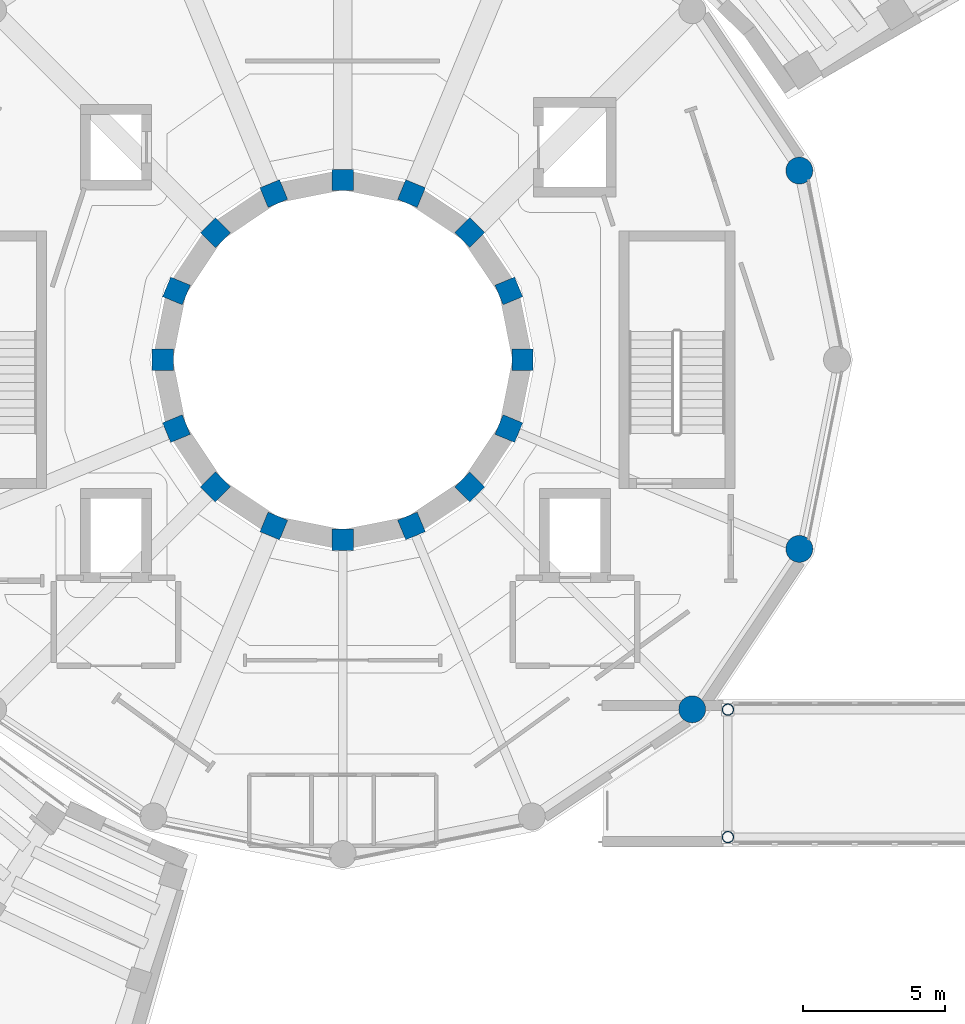
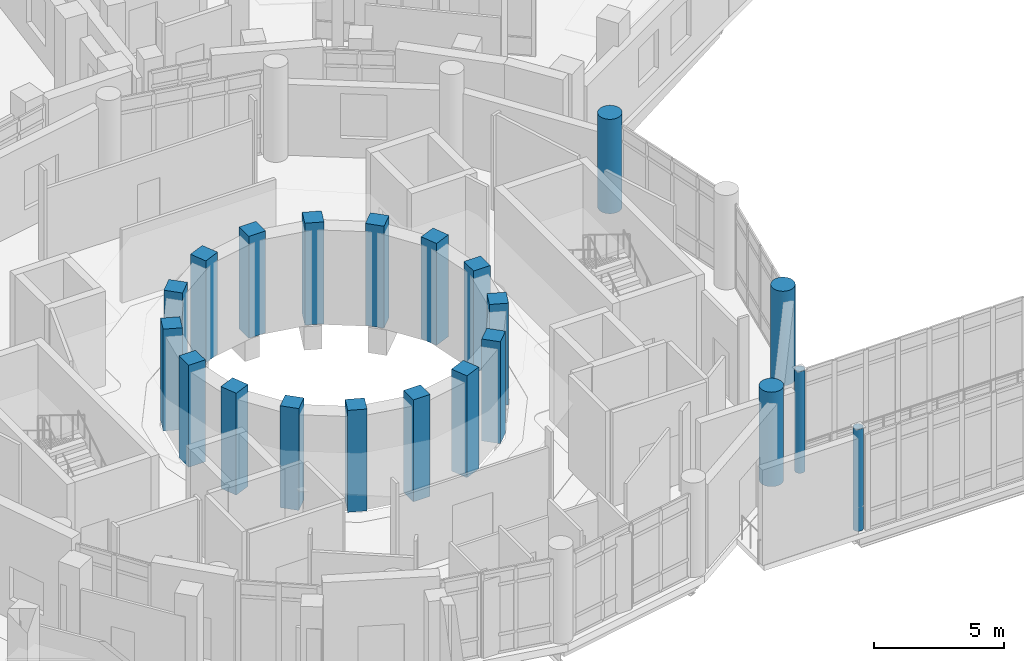
# One storey, part 2 of 89: 21 columns.
"""IFC4 building model written with IfcOpenShell, lengths in metres."""

from ifc_helpers import new_model, si_unit, direction, frame, origin, origin_2d, place, context, subcontext, project, spatial, rectangle, circle, hollow_circle, extrude, material, material_profile, profile_set, type_object, element, save


model = new_model("IFC4")

# Units and contexts
model_context = context("Model", 3, precision=1e-05, world=origin(), true_north=direction((0.0, 1.0)))
body_context = subcontext(model_context, "Body", "Model", "MODEL_VIEW")
ifc_project = project(units=[si_unit("LENGTHUNIT", "METRE"), si_unit("AREAUNIT", "SQUARE_METRE"), si_unit("VOLUMEUNIT", "CUBIC_METRE"), si_unit("PLANEANGLEUNIT", "RADIAN"), si_unit("MASSUNIT", "GRAM", prefix="KILO")], contexts=[model_context])

# Site, building, storey
site_placement = place(None, origin())
site = spatial("IfcSite", under=ifc_project, at=site_placement, CompositionType="ELEMENT")
building_placement = place(site_placement, origin())
building = spatial("IfcBuilding", under=site, at=building_placement, Name="Soyqirgoq Riverine Aquarium", CompositionType="ELEMENT")
storey_placement = place(building_placement, frame((0.0, 0.0, 5.39990234375)))
storey = spatial("IfcBuildingStorey", under=building, at=storey_placement, Name="L02", CompositionType="ELEMENT", Elevation=5.39990234375)

# Columns
ifc_material_1 = material(Name="Concrete C40/50", Category="concrete")
ifc_material_profile_1 = material_profile(ifc_material_1, circle(Radius=0.47509765625, at=origin_2d()), Name="RC-COL D950")
ifc_profile_set_1 = profile_set([ifc_material_profile_1], Name="Concrete C40/50")
column_type_1 = type_object("IfcColumnType", Name="Col_Circ_D950", PredefinedType="COLUMN", material=ifc_profile_set_1)
for number, where, z_axis, x_axis, name in (
    (1, (72.12158203125, 63.677734375, 0.0), (0.0, 0.0, 1.0), (0.923879532511, 0.382683432365, 0.0), "V1 Column V1-CO02 L02"),
    (2, (68.339111328125, 44.660888671875, 0.0), (0.0, 0.0, 1.0), (0.707106781187, -0.707106781187, 0.0), "V1 Column V1-CO15 L02"),
    (3, (72.12158203125, 50.322265625, 0.0), (0.0, 0.0, 1.0), (0.923879532511, -0.382683432365, 0.0), "V1 Column V1-CO16 L02"),
):
    element("IfcColumn", number, at=place(storey_placement, frame(where, z_axis=z_axis, x_axis=x_axis)), inside=storey, type_object=column_type_1, Name=name, PredefinedType="COLUMN", context=body_context, shape_type="SweptSolid", body=[
        extrude(circle(Radius=0.47509765625, at=origin_2d()), origin(), (0.0, 0.0, 1.0), 4.4501953125),
    ])
ifc_material_2 = material(Name="Concrete C40/50", Category="concrete")
ifc_material_profile_2 = material_profile(ifc_material_2, rectangle(XDim=0.75, YDim=0.75, at=origin_2d()), Name="RC 750x750")
ifc_profile_set_2 = profile_set([ifc_material_profile_2], Name="Concrete C40/50")
column_type_2 = type_object("IfcColumnType", Name="Col_RC_750x750", PredefinedType="COLUMN", material=ifc_profile_set_2)
for number, where, z_axis, x_axis, name in (
    (4, (62.35009765625, 57.0, 0.0), (0.0, 0.0, 1.0), (1.0, 0.0, 0.0), "V1 Column V1-CT01 L02"),
    (5, (61.86669921875, 59.429931640625, 0.0), (0.0, 0.0, 1.0), (0.923879532511, 0.382683432365, 0.0), "V1 Column V1-CT02 L02"),
    (6, (60.489990234375, 61.489990234375, 0.0), (0.0, 0.0, 1.0), (0.707106781187, 0.707106781187, 0.0), "V1 Column V1-CT03 L02"),
    (7, (58.429931640625, 62.86669921875, 0.0), (0.0, 0.0, 1.0), (0.382683432365, 0.923879532511, 0.0), "V1 Column V1-CT04 L02"),
    (8, (56.0, 63.35009765625, 0.0), (0.0, 0.0, 1.0), (0.0, 1.0, 0.0), "V1 Column V1-CT05 L02"),
    (9, (53.570068359375, 62.86669921875, 0.0), (0.0, 0.0, 1.0), (-0.382683432365, 0.923879532511, 0.0), "V1 Column V1-CT06 L02"),
    (10, (51.510009765625, 61.489990234375, 0.0), (0.0, 0.0, 1.0), (-0.707106781187, 0.707106781187, 0.0), "V1 Column V1-CT07 L02"),
    (11, (50.13330078125, 59.429931640625, 0.0), (0.0, 0.0, 1.0), (-0.923879532511, 0.382683432365, 0.0), "V1 Column V1-CT08 L02"),
    (12, (49.64990234375, 57.0, 0.0), (0.0, 0.0, 1.0), (-1.0, 0.0, 0.0), "V1 Column V1-CT09 L02"),
    (13, (50.13330078125, 54.570068359375, 0.0), (0.0, 0.0, 1.0), (-0.923879532511, -0.382683432365, 0.0), "V1 Column V1-CT10 L02"),
    (14, (51.510009765625, 52.510009765625, 0.0), (0.0, 0.0, 1.0), (-0.707106781187, -0.707106781187, 0.0), "V1 Column V1-CT11 L02"),
    (15, (53.570068359375, 51.13330078125, 0.0), (0.0, 0.0, 1.0), (-0.382683432365, -0.923879532511, 0.0), "V1 Column V1-CT12 L02"),
    (16, (56.0, 50.64990234375, 0.0), (0.0, 0.0, 1.0), (0.0, -1.0, 0.0), "V1 Column V1-CT13 L02"),
    (17, (58.429931640625, 51.13330078125, 0.0), (0.0, 0.0, 1.0), (0.382683432365, -0.923879532511, 0.0), "V1 Column V1-CT14 L02"),
    (18, (60.489990234375, 52.510009765625, 0.0), (0.0, 0.0, 1.0), (0.707106781187, -0.707106781187, 0.0), "V1 Column V1-CT15 L02"),
    (19, (61.86669921875, 54.570068359375, 0.0), (0.0, 0.0, 1.0), (0.923879532511, -0.382683432365, 0.0), "V1 Column V1-CT16 L02"),
):
    element("IfcColumn", number, at=place(storey_placement, frame(where, z_axis=z_axis, x_axis=x_axis)), inside=storey, type_object=column_type_2, Name=name, PredefinedType="COLUMN", context=body_context, shape_type="SweptSolid", body=[
        extrude(rectangle(XDim=0.75, YDim=0.75, at=origin_2d()), origin(), (0.0, 0.0, 1.0), 4.800048828125),
    ])
ifc_material_3 = material(Name="Structural steel S355", Category="steel")
ifc_material_profile_3 = material_profile(ifc_material_3, hollow_circle(Radius=0.203125, WallThickness=0.01611328125, at=origin_2d()), Name="CHS 406.4x16")
ifc_profile_set_3 = profile_set([ifc_material_profile_3], Name="Structural steel S355")
column_type_3 = type_object("IfcColumnType", Name="Col_Steel_CHS406", PredefinedType="COLUMN", material=ifc_profile_set_3)
for number, where, z_axis, x_axis, name in (
    (20, (69.60009765625, 40.14990234375, 0.0), (0.0, 0.0, 1.0), (1.0, 0.0, 0.0), "Bridge Pier Column BR-1-CP-69-S L02"),
    (21, (69.60009765625, 44.64990234375, 0.0), (0.0, 0.0, 1.0), (1.0, 0.0, 0.0), "Bridge Pier Column BR-1-CP-69-N L02"),
):
    element("IfcColumn", number, at=place(storey_placement, frame(where, z_axis=z_axis, x_axis=x_axis)), inside=storey, type_object=column_type_3, Name=name, PredefinedType="COLUMN", context=body_context, shape_type="SweptSolid", body=[
        extrude(hollow_circle(Radius=0.203125, WallThickness=0.01611328125, at=origin_2d()), origin(), (0.0, 0.0, 1.0), 4.800048828125),
    ])

save(model, "model.ifc")
